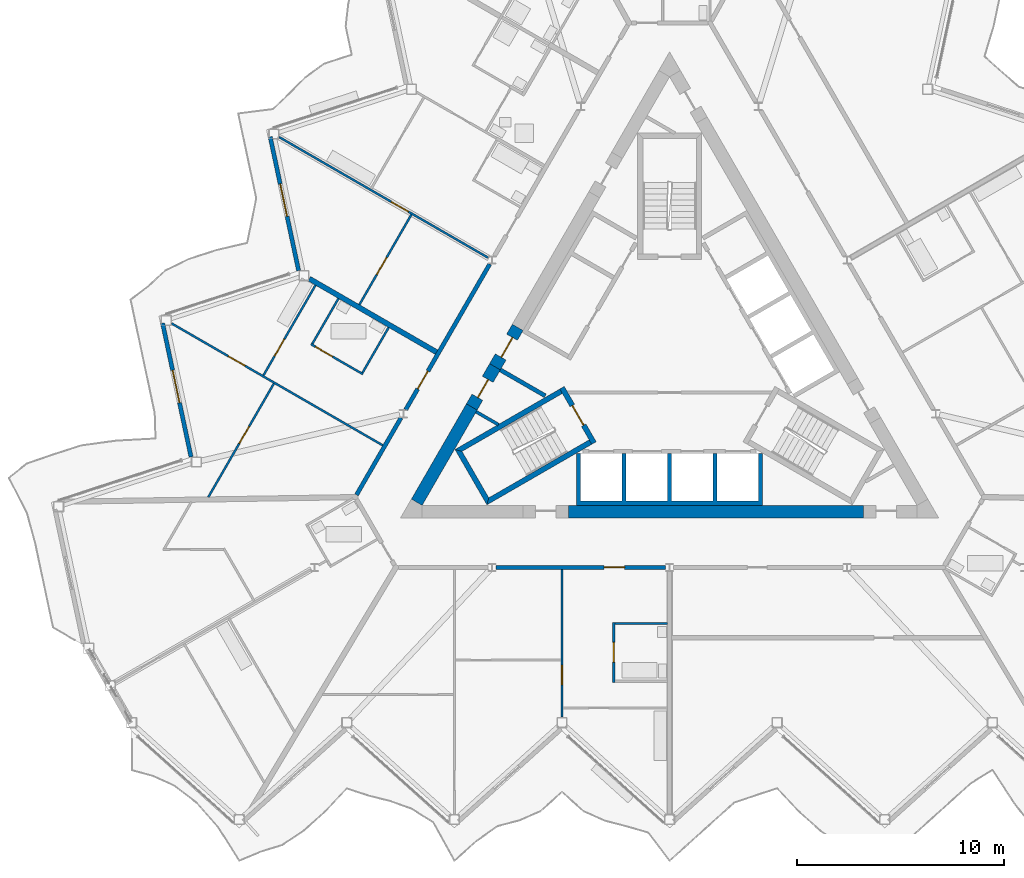
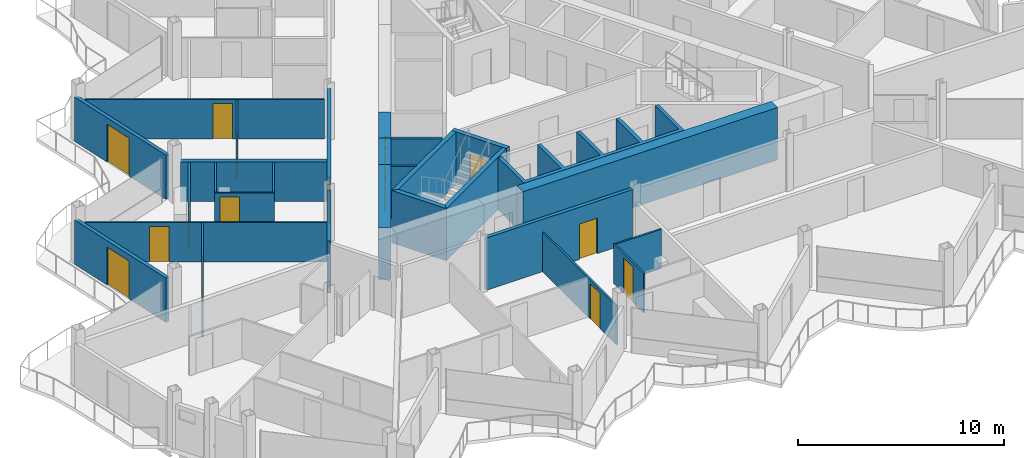
# One storey, part 13 of 26: 28 walls, 15 doors, 15 openings.
"""IFC4 building model written with IfcOpenShell, lengths in metres."""

from ifc_helpers import new_model, si_unit, direction, frame, frame_2d, origin, place, context, subcontext, project, spatial, polyline, rectangle, outline, extrude, material, layer, layer_set, type_object, element, fill, save


model = new_model("IFC4")

# Units and contexts
model_context = context("Model", 3, precision=1e-05, world=origin(), true_north=direction((0.0, 1.0)))
body_context = subcontext(model_context, "Body", "Model", "MODEL_VIEW")
ifc_project = project(units=[si_unit("LENGTHUNIT", "METRE"), si_unit("AREAUNIT", "SQUARE_METRE"), si_unit("VOLUMEUNIT", "CUBIC_METRE"), si_unit("PLANEANGLEUNIT", "RADIAN"), si_unit("MASSUNIT", "GRAM", prefix="KILO")], contexts=[model_context])

# Site, building, storey
site_placement = place(None, origin())
site = spatial("IfcSite", under=ifc_project, at=site_placement, CompositionType="ELEMENT")
building_placement = place(site_placement, origin())
building = spatial("IfcBuilding", under=site, at=building_placement, Name="Cormorant Prow Tower", CompositionType="ELEMENT")
storey_placement = place(building_placement, frame((0.0, 0.0, 384.800048828125)))
storey = spatial("IfcBuildingStorey", under=building, at=storey_placement, Name="L87", CompositionType="ELEMENT", Elevation=384.800048828125)

# Walls
ifc_material_1 = material(Name="Gypsum board partition")
ifc_layer_1 = layer(ifc_material_1, 0.14990234375)
ifc_layer_set_1 = layer_set([ifc_layer_1], Name="Gypsum board partition")
wall_type_1 = type_object("IfcWallType", Name="Core partition 150", PredefinedType="PARTITIONING", material=ifc_layer_set_1)
wall_1_placement = place(storey_placement, frame((-9.349609375, -2.3828125, 0.0), z_axis=(0.0, 0.0, 1.0), x_axis=(0.866057962423, -0.499943602543, 0.0)))
element("IfcWall", 1, at=wall_1_placement, inside=storey, type_object=wall_type_1, Name="Service room partition", PredefinedType="PARTITIONING", context=body_context, shape_type="SweptSolid", body=[
    extrude(rectangle(XDim=1.242431640625, YDim=0.14990234375, at=frame_2d((0.62109375, 0.0))), origin(), (0.0, 0.0, 1.0), 3.099853515625),
])
ifc_material_2 = material(Name="Concrete 8000 psi", Category="concrete")
ifc_layer_2 = layer(ifc_material_2, 0.60009765625)
ifc_layer_set_2 = layer_set([ifc_layer_2], Name="Concrete 8000 psi")
wall_type_2 = type_object("IfcWallType", Name="Core shear wall 600", PredefinedType="SHEAR", material=ifc_layer_set_2)
wall_2_placement = place(storey_placement, frame((-4.89208984375, -7.20556640625, 0.0), z_axis=(0.0, 0.0, 1.0), x_axis=(1.0, 0.0, 0.0)))
element("IfcWall", 2, at=wall_2_placement, inside=storey, type_object=wall_type_2, Name="Core wall", PredefinedType="SHEAR", context=body_context, shape_type="SweptSolid", body=[
    extrude(rectangle(XDim=14.2607421875, YDim=0.60009765625, at=frame_2d((7.13037109375, 0.0))), origin(), (0.0, 0.0, 1.0), 3.099853515625),
])
wall_3_placement = place(storey_placement, frame((-9.561767578125, -2.150390625, 0.0), z_axis=(0.0, 0.0, 1.0), x_axis=(-0.500015214976, -0.866016619236, 0.0)))
element("IfcWall", 3, at=wall_3_placement, inside=storey, type_object=wall_type_2, Name="Core wall", PredefinedType="SHEAR", context=body_context, shape_type="SweptSolid", body=[
    extrude(rectangle(XDim=5.317626953125, YDim=0.60009765625, at=frame_2d((2.65869140625, 0.0))), origin(), (0.0, 0.0, 1.0), 3.099853515625),
])

# Wall, opening, door
wall_4_placement = place(storey_placement, frame((-8.440185546875, -0.207763671875, 0.0), z_axis=(0.0, 0.0, 1.0), x_axis=(-0.500001951578, -0.866024277037, 0.0)))
wall_4 = element("IfcWall", 4, at=wall_4_placement, inside=storey, type_object=wall_type_2, Name="Core wall door panel", PredefinedType="SHEAR", context=body_context, shape_type="SweptSolid", body=[
    extrude(rectangle(XDim=2.2431640625, YDim=0.60009765625, at=frame_2d((1.12158203125, 0.0))), origin(), (0.0, 0.0, 1.0), 3.099853515625),
])
opening_1_placement = place(wall_4_placement, frame((0.699951171875, 0.0, 0.0)))
opening_1 = element("IfcOpeningElement", 5, at=opening_1_placement, cuts=wall_4, Name="Opening L87-C18", PredefinedType="OPENING", context=body_context, shape_type="SweptSolid", body=[
    extrude(rectangle(XDim=1.0, YDim=2.10009765625, at=frame_2d((0.5, 1.050048828125))), frame((0.0, 0.31005859375, 0.0), z_axis=(0.0, -1.0, 0.0), x_axis=(1.0, 0.0, 0.0)), (0.0, 0.0, 1.0), 0.6201171875),
])
ifc_material_3 = material(Name="Painted steel", Category="steel")
door_type_1 = type_object("IfcDoorType", Name="Service door 1000x2100", OperationType="NOTDEFINED", PredefinedType="DOOR", material=ifc_material_3)
door_1_placement = place(opening_1_placement, origin())
door_1 = element("IfcDoor", 6, at=door_1_placement, inside=storey, type_object=door_type_1, Name="Core door, Mechanical riser room", OperationType="SINGLE_SWING_LEFT", OverallHeight=2.10009765625, OverallWidth=1.0, PredefinedType="DOOR", context=body_context, shape_type="SweptSolid", body=[
    extrude(rectangle(XDim=1.0, YDim=2.10009765625, at=frame_2d((0.5, 1.050048828125))), frame((0.0, 0.05517578125, 0.0), z_axis=(0.0, -1.0, 0.0), x_axis=(1.0, 0.0, 0.0)), (0.0, 0.0, 1.0), 0.050048828125),
])
fill(opening_1, door_1)

wall_5_placement = place(storey_placement, frame((-7.340087890625, 1.697509765625, 0.0), z_axis=(0.0, 0.0, 1.0), x_axis=(-0.50002983664, -0.866008176907, 0.0)))
wall_5 = element("IfcWall", 7, at=wall_5_placement, inside=storey, type_object=wall_type_2, Name="Core wall door panel", PredefinedType="SHEAR", context=body_context, shape_type="SweptSolid", body=[
    extrude(rectangle(XDim=2.199951171875, YDim=0.60009765625, at=frame_2d((1.10009765625, 0.0))), origin(), (0.0, 0.0, 1.0), 3.099853515625),
])
opening_2_placement = place(wall_5_placement, frame((0.550048828125, 0.0, 0.0)))
opening_2 = element("IfcOpeningElement", 8, at=opening_2_placement, cuts=wall_5, Name="Opening L87-C21", PredefinedType="OPENING", context=body_context, shape_type="SweptSolid", body=[
    extrude(rectangle(XDim=1.10009765625, YDim=2.10009765625, at=frame_2d((0.550048828125, 1.050048828125))), frame((0.0, 0.31005859375, 0.0), z_axis=(0.0, -1.0, 0.0), x_axis=(1.0, 0.0, 0.0)), (0.0, 0.0, 1.0), 0.6201171875),
])
ifc_material_4 = material(Name="Painted steel", Category="steel")
door_type_2 = type_object("IfcDoorType", Name="Core door 1100x2100", OperationType="NOTDEFINED", PredefinedType="DOOR", material=ifc_material_4)
door_2_placement = place(opening_2_placement, origin())
door_2 = element("IfcDoor", 9, at=door_2_placement, inside=storey, type_object=door_type_2, Name="Core door, lift lobby", OperationType="SINGLE_SWING_RIGHT", OverallHeight=2.10009765625, OverallWidth=1.10009765625, PredefinedType="DOOR", context=body_context, shape_type="SweptSolid", body=[
    extrude(rectangle(XDim=1.10009765625, YDim=2.10009765625, at=frame_2d((0.550048828125, 1.050048828125))), frame((0.0, 0.05517578125, 0.0), z_axis=(0.0, -1.0, 0.0), x_axis=(1.0, 0.0, 0.0)), (0.0, 0.0, 1.0), 0.050048828125),
])
fill(opening_2, door_2)

ifc_material_5 = material(Name="Gypsum board corridor wall")
ifc_layer_3 = layer(ifc_material_5, 0.199951171875)
ifc_layer_set_3 = layer_set([ifc_layer_3], Name="Gypsum board corridor wall")
wall_type_3 = type_object("IfcWallType", Name="Corridor wall 200", PredefinedType="PARTITIONING", material=ifc_layer_set_3)
wall_6_placement = place(storey_placement, frame((-8.381591796875, -9.905517578125, 0.0), z_axis=(0.0, 0.0, 1.0), x_axis=(1.0, 0.0, 0.0)))
wall_6 = element("IfcWall", 10, at=wall_6_placement, inside=storey, type_object=wall_type_3, Name="Corridor wall", PredefinedType="PARTITIONING", context=body_context, shape_type="SweptSolid", body=[
    extrude(rectangle(XDim=8.1845703125, YDim=0.199951171875, at=frame_2d((4.09228515625, 0.0))), origin(), (0.0, 0.0, 1.0), 3.099853515625),
])
opening_3_placement = place(wall_6_placement, frame((5.212646484375, 0.0, 0.0)))
opening_3 = element("IfcOpeningElement", 11, at=opening_3_placement, cuts=wall_6, Name="Opening L87-F01", PredefinedType="OPENING", context=body_context, shape_type="SweptSolid", body=[
    extrude(rectangle(XDim=1.0, YDim=2.10009765625, at=frame_2d((0.5, 1.050048828125))), frame((0.0, 0.10986328125, 0.0), z_axis=(0.0, -1.0, 0.0), x_axis=(1.0, 0.0, 0.0)), (0.0, 0.0, 1.0), 0.219970703125),
])
ifc_material_6 = material(Name="Timber door leaf", Category="wood")
door_type_3 = type_object("IfcDoorType", Name="Flat or room entrance door 1000x2100", OperationType="NOTDEFINED", PredefinedType="DOOR", material=ifc_material_6)
door_3_placement = place(opening_3_placement, origin())
door_3 = element("IfcDoor", 12, at=door_3_placement, inside=storey, type_object=door_type_3, Name="Living room door", OperationType="SINGLE_SWING_RIGHT", OverallHeight=2.10009765625, OverallWidth=1.0, PredefinedType="DOOR", context=body_context, shape_type="SweptSolid", body=[
    extrude(rectangle(XDim=1.0, YDim=2.10009765625, at=frame_2d((0.5, 1.050048828125))), frame((0.0, 0.02490234375, 0.0), z_axis=(0.0, -1.0, 0.0), x_axis=(1.0, 0.0, 0.0)), (0.0, 0.0, 1.0), 0.050048828125),
])
fill(opening_3, door_3)

wall_7_placement = place(storey_placement, frame((-12.75390625, -2.279296875, 0.0), z_axis=(0.0, 0.0, 1.0), x_axis=(0.500001682468, 0.866024432409, 0.0)))
wall_7 = element("IfcWall", 13, at=wall_7_placement, inside=storey, type_object=wall_type_3, Name="Corridor wall", PredefinedType="PARTITIONING", context=body_context, shape_type="SweptSolid", body=[
    extrude(rectangle(XDim=8.12353515625, YDim=0.199951171875, at=frame_2d((4.061767578125, 0.0))), origin(), (0.0, 0.0, 1.0), 3.099853515625),
])
opening_4_placement = place(wall_7_placement, frame((1.1533203125, 0.0, 0.0)))
opening_4 = element("IfcOpeningElement", 14, at=opening_4_placement, cuts=wall_7, Name="Opening L87-F41", PredefinedType="OPENING", context=body_context, shape_type="SweptSolid", body=[
    extrude(rectangle(XDim=1.0, YDim=2.10009765625, at=frame_2d((0.5, 1.050048828125))), frame((0.0, 0.10986328125, 0.0), z_axis=(0.0, -1.0, 0.0), x_axis=(1.0, 0.0, 0.0)), (0.0, 0.0, 1.0), 0.219970703125),
])
door_4_placement = place(opening_4_placement, origin())
door_4 = element("IfcDoor", 15, at=door_4_placement, inside=storey, type_object=door_type_3, Name="Living room door", OperationType="SINGLE_SWING_RIGHT", OverallHeight=2.10009765625, OverallWidth=1.0, PredefinedType="DOOR", context=body_context, shape_type="SweptSolid", body=[
    extrude(rectangle(XDim=1.0, YDim=2.10009765625, at=frame_2d((0.5, 1.050048828125))), frame((0.0, 0.02490234375, 0.0), z_axis=(0.0, -1.0, 0.0), x_axis=(1.0, 0.0, 0.0)), (0.0, 0.0, 1.0), 0.050048828125),
])
fill(opening_4, door_4)

# Wall
wall_8_placement = place(storey_placement, frame((-15.13134765625, -6.397216796875, 0.0), z_axis=(0.0, 0.0, 1.0), x_axis=(0.499986217557, 0.866033360935, 0.0)))
element("IfcWall", 16, at=wall_8_placement, inside=storey, type_object=wall_type_3, Name="Corridor wall", PredefinedType="PARTITIONING", context=body_context, shape_type="SweptSolid", body=[
    extrude(rectangle(XDim=4.2998046875, YDim=0.199951171875, at=frame_2d((2.14990234375, 0.0))), origin(), (0.0, 0.0, 1.0), 3.099853515625),
])

# Wall, opening, door
ifc_material_7 = material(Name="Gypsum board partition")
ifc_layer_4 = layer(ifc_material_7, 0.10009765625)
ifc_layer_set_4 = layer_set([ifc_layer_4], Name="Gypsum board partition")
wall_type_4 = type_object("IfcWallType", Name="Internal partition 100", PredefinedType="PARTITIONING", material=ifc_layer_set_4)
wall_9_placement = place(storey_placement, frame((-24.068603515625, 1.88720703125, 0.0), z_axis=(0.0, 0.0, 1.0), x_axis=(0.866023404247, -0.500003463284, 0.0)))
wall_9 = element("IfcWall", 17, at=wall_9_placement, inside=storey, type_object=wall_type_4, Name="Internal partition", PredefinedType="PARTITIONING", context=body_context, shape_type="SweptSolid", body=[
    extrude(rectangle(XDim=11.7822265625, YDim=0.10009765625, at=frame_2d((5.89111328125, 0.0))), origin(), (0.0, 0.0, 1.0), 2.330078125),
])
opening_5_placement = place(wall_9_placement, frame((3.158935546875, 0.0, 0.0)))
opening_5 = element("IfcOpeningElement", 18, at=opening_5_placement, cuts=wall_9, Name="Opening L87-F44", PredefinedType="OPENING", context=body_context, shape_type="SweptSolid", body=[
    extrude(rectangle(XDim=0.949951171875, YDim=2.10009765625, at=frame_2d((0.47509765625, 1.050048828125))), frame((0.0, 0.06005859375, 0.0), z_axis=(0.0, -1.0, 0.0), x_axis=(1.0, 0.0, 0.0)), (0.0, 0.0, 1.0), 0.1201171875),
])
ifc_material_8 = material(Name="Timber door leaf", Category="wood")
door_type_4 = type_object("IfcDoorType", Name="Bathroom door 950x2100", OperationType="NOTDEFINED", PredefinedType="DOOR", material=ifc_material_8)
door_5_placement = place(opening_5_placement, origin())
door_5 = element("IfcDoor", 19, at=door_5_placement, inside=storey, type_object=door_type_4, Name="Kitchen door", OperationType="SINGLE_SWING_RIGHT", OverallHeight=2.10009765625, OverallWidth=0.949951171875, PredefinedType="DOOR", context=body_context, shape_type="SweptSolid", body=[
    extrude(rectangle(XDim=0.949951171875, YDim=2.10009765625, at=frame_2d((0.47509765625, 1.050048828125))), frame((0.0, 0.02490234375, 0.0), z_axis=(0.0, -1.0, 0.0), x_axis=(1.0, 0.0, 0.0)), (0.0, 0.0, 1.0), 0.050048828125),
])
fill(opening_5, door_5)

wall_10_placement = place(storey_placement, frame((-18.86865234375, 10.893798828125, 0.0), z_axis=(0.0, 0.0, 1.0), x_axis=(0.866023724155, -0.500002909193, 0.0)))
wall_10 = element("IfcWall", 20, at=wall_10_placement, inside=storey, type_object=wall_type_4, Name="Internal partition", PredefinedType="PARTITIONING", context=body_context, shape_type="SweptSolid", body=[
    extrude(rectangle(XDim=11.65478515625, YDim=0.10009765625, at=frame_2d((5.827392578125, 0.0))), origin(), (0.0, 0.0, 1.0), 2.330078125),
])
opening_6_placement = place(wall_10_placement, frame((6.252685546875, 0.0, 0.0)))
opening_6 = element("IfcOpeningElement", 21, at=opening_6_placement, cuts=wall_10, Name="Opening L87-F38", PredefinedType="OPENING", context=body_context, shape_type="SweptSolid", body=[
    extrude(rectangle(XDim=0.949951171875, YDim=2.10009765625, at=frame_2d((0.47509765625, 1.050048828125))), frame((0.0, 0.06005859375, 0.0), z_axis=(0.0, -1.0, 0.0), x_axis=(1.0, 0.0, 0.0)), (0.0, 0.0, 1.0), 0.1201171875),
])
door_6_placement = place(opening_6_placement, origin())
door_6 = element("IfcDoor", 22, at=door_6_placement, inside=storey, type_object=door_type_4, Name="Living room door", OperationType="SINGLE_SWING_RIGHT", OverallHeight=2.10009765625, OverallWidth=0.949951171875, PredefinedType="DOOR", context=body_context, shape_type="SweptSolid", body=[
    extrude(rectangle(XDim=0.949951171875, YDim=2.10009765625, at=frame_2d((0.47509765625, 1.050048828125))), frame((0.0, 0.02490234375, 0.0), z_axis=(0.0, -1.0, 0.0), x_axis=(1.0, 0.0, 0.0)), (0.0, 0.0, 1.0), 0.050048828125),
])
fill(opening_6, door_6)

wall_11_placement = place(storey_placement, frame((-5.199951171875, -17.145751953125, 0.0), z_axis=(0.0, 0.0, 1.0), x_axis=(0.0, 1.0, 0.0)))
wall_11 = element("IfcWall", 23, at=wall_11_placement, inside=storey, type_object=wall_type_4, Name="Internal partition", PredefinedType="PARTITIONING", context=body_context, shape_type="SweptSolid", body=[
    extrude(rectangle(XDim=7.14013671875, YDim=0.10009765625, at=frame_2d((3.570068359375, 0.0))), origin(), (0.0, 0.0, 1.0), 2.330078125),
])
opening_7_placement = place(wall_11_placement, frame((1.571044921875, 0.0, 0.0)))
opening_7 = element("IfcOpeningElement", 24, at=opening_7_placement, cuts=wall_11, Name="Opening L87-F04", PredefinedType="OPENING", context=body_context, shape_type="SweptSolid", body=[
    extrude(rectangle(XDim=0.949951171875, YDim=2.10009765625, at=frame_2d((0.47509765625, 1.050048828125))), frame((0.0, 0.06005859375, 0.0), z_axis=(0.0, -1.0, 0.0), x_axis=(1.0, 0.0, 0.0)), (0.0, 0.0, 1.0), 0.1201171875),
])
door_7_placement = place(opening_7_placement, origin())
door_7 = element("IfcDoor", 25, at=door_7_placement, inside=storey, type_object=door_type_4, Name="Living room door", OperationType="SINGLE_SWING_RIGHT", OverallHeight=2.10009765625, OverallWidth=0.949951171875, PredefinedType="DOOR", context=body_context, shape_type="SweptSolid", body=[
    extrude(rectangle(XDim=0.949951171875, YDim=2.10009765625, at=frame_2d((0.47509765625, 1.050048828125))), frame((0.0, 0.02490234375, 0.0), z_axis=(0.0, -1.0, 0.0), x_axis=(1.0, 0.0, 0.0)), (0.0, 0.0, 1.0), 0.050048828125),
])
fill(opening_7, door_7)

wall_12_placement = place(storey_placement, frame((-22.2978515625, -6.512451171875, 0.0), z_axis=(0.0, 0.0, 1.0), x_axis=(0.499991387631, 0.866030376081, 0.0)))
wall_12 = element("IfcWall", 26, at=wall_12_placement, inside=storey, type_object=wall_type_4, Name="Internal partition", PredefinedType="PARTITIONING", context=body_context, shape_type="SweptSolid", body=[
    extrude(rectangle(XDim=6.3388671875, YDim=0.10009765625, at=frame_2d((3.16943359375, 0.0))), origin(), (0.0, 0.0, 1.0), 2.330078125),
])
opening_8_placement = place(wall_12_placement, frame((3.0, 0.0, 0.0)))
opening_8 = element("IfcOpeningElement", 27, at=opening_8_placement, cuts=wall_12, Name="Opening L87-F45", PredefinedType="OPENING", context=body_context, shape_type="SweptSolid", body=[
    extrude(rectangle(XDim=0.949951171875, YDim=2.10009765625, at=frame_2d((0.47509765625, 1.050048828125))), frame((0.0, 0.06005859375, 0.0), z_axis=(0.0, -1.0, 0.0), x_axis=(1.0, 0.0, 0.0)), (0.0, 0.0, 1.0), 0.1201171875),
])
door_8_placement = place(opening_8_placement, origin())
door_8 = element("IfcDoor", 28, at=door_8_placement, inside=storey, type_object=door_type_4, Name="Bedroom door", OperationType="SINGLE_SWING_RIGHT", OverallHeight=2.10009765625, OverallWidth=0.949951171875, PredefinedType="DOOR", context=body_context, shape_type="SweptSolid", body=[
    extrude(rectangle(XDim=0.949951171875, YDim=2.10009765625, at=frame_2d((0.47509765625, 1.050048828125))), frame((0.0, 0.02490234375, 0.0), z_axis=(0.0, -1.0, 0.0), x_axis=(1.0, 0.0, 0.0)), (0.0, 0.0, 1.0), 0.050048828125),
])
fill(opening_8, door_8)

wall_13_placement = place(storey_placement, frame((-19.628173828125, -0.618896484375, 0.0), z_axis=(0.0, 0.0, 1.0), x_axis=(0.499990214365, 0.86603105345, 0.0)))
wall_13 = element("IfcWall", 29, at=wall_13_placement, inside=storey, type_object=wall_type_4, Name="Internal partition", PredefinedType="PARTITIONING", context=body_context, shape_type="SweptSolid", body=[
    extrude(rectangle(XDim=5.02490234375, YDim=0.10009765625, at=frame_2d((2.512451171875, 0.0))), origin(), (0.0, 0.0, 1.0), 2.330078125),
])
opening_9_placement = place(wall_13_placement, frame((1.067138671875, 0.0, 0.0)))
opening_9 = element("IfcOpeningElement", 30, at=opening_9_placement, cuts=wall_13, Name="Opening L87-F43", PredefinedType="OPENING", context=body_context, shape_type="SweptSolid", body=[
    extrude(rectangle(XDim=0.949951171875, YDim=2.10009765625, at=frame_2d((0.47509765625, 1.050048828125))), frame((0.0, 0.06005859375, 0.0), z_axis=(0.0, -1.0, 0.0), x_axis=(1.0, 0.0, 0.0)), (0.0, 0.0, 1.0), 0.1201171875),
])
door_9_placement = place(opening_9_placement, origin())
door_9 = element("IfcDoor", 31, at=door_9_placement, inside=storey, type_object=door_type_4, Name="Living room door", OperationType="SINGLE_SWING_LEFT", OverallHeight=2.10009765625, OverallWidth=0.949951171875, PredefinedType="DOOR", context=body_context, shape_type="SweptSolid", body=[
    extrude(rectangle(XDim=0.949951171875, YDim=2.10009765625, at=frame_2d((0.47509765625, 1.050048828125))), frame((0.0, 0.02490234375, 0.0), z_axis=(0.0, -1.0, 0.0), x_axis=(1.0, 0.0, 0.0)), (0.0, 0.0, 1.0), 0.050048828125),
])
fill(opening_9, door_9)

wall_14_placement = place(storey_placement, frame((-14.9921875, 2.795654296875, 0.0), z_axis=(0.0, 0.0, 1.0), x_axis=(0.499990214365, 0.86603105345, 0.0)))
wall_14 = element("IfcWall", 32, at=wall_14_placement, inside=storey, type_object=wall_type_4, Name="Internal partition", PredefinedType="PARTITIONING", context=body_context, shape_type="SweptSolid", body=[
    extrude(rectangle(XDim=5.02490234375, YDim=0.10009765625, at=frame_2d((2.512451171875, 0.0))), origin(), (0.0, 0.0, 1.0), 2.330078125),
])
opening_10_placement = place(wall_14_placement, frame((1.679931640625, 0.0, 0.0)))
opening_10 = element("IfcOpeningElement", 33, at=opening_10_placement, cuts=wall_14, Name="Opening L87-F39", PredefinedType="OPENING", context=body_context, shape_type="SweptSolid", body=[
    extrude(rectangle(XDim=0.949951171875, YDim=2.10009765625, at=frame_2d((0.47509765625, 1.050048828125))), frame((0.0, 0.06005859375, 0.0), z_axis=(0.0, -1.0, 0.0), x_axis=(1.0, 0.0, 0.0)), (0.0, 0.0, 1.0), 0.1201171875),
])
door_10_placement = place(opening_10_placement, origin())
door_10 = element("IfcDoor", 34, at=door_10_placement, inside=storey, type_object=door_type_4, Name="Bedroom door", OperationType="SINGLE_SWING_RIGHT", OverallHeight=2.10009765625, OverallWidth=0.949951171875, PredefinedType="DOOR", context=body_context, shape_type="SweptSolid", body=[
    extrude(rectangle(XDim=0.949951171875, YDim=2.10009765625, at=frame_2d((0.47509765625, 1.050048828125))), frame((0.0, 0.02490234375, 0.0), z_axis=(0.0, -1.0, 0.0), x_axis=(1.0, 0.0, 0.0)), (0.0, 0.0, 1.0), 0.050048828125),
])
fill(opening_10, door_10)

wall_15_placement = place(storey_placement, frame((-17.3349609375, 0.88623046875, 0.0), z_axis=(0.0, 0.0, 1.0), x_axis=(0.866032775405, -0.499987231761, 0.0)))
wall_15 = element("IfcWall", 35, at=wall_15_placement, inside=storey, type_object=wall_type_4, Name="Internal partition", PredefinedType="PARTITIONING", context=body_context, shape_type="SweptSolid", body=[
    extrude(rectangle(XDim=2.89990234375, YDim=0.10009765625, at=frame_2d((1.449951171875, 0.0))), origin(), (0.0, 0.0, 1.0), 2.330078125),
])
opening_11_placement = place(wall_15_placement, frame((0.25, 0.0, 0.0)))
opening_11 = element("IfcOpeningElement", 36, at=opening_11_placement, cuts=wall_15, Name="Opening L87-F42", PredefinedType="OPENING", context=body_context, shape_type="SweptSolid", body=[
    extrude(rectangle(XDim=0.949951171875, YDim=2.10009765625, at=frame_2d((0.47509765625, 1.050048828125))), frame((0.0, 0.06005859375, 0.0), z_axis=(0.0, -1.0, 0.0), x_axis=(1.0, 0.0, 0.0)), (0.0, 0.0, 1.0), 0.1201171875),
])
door_11_placement = place(opening_11_placement, origin())
door_11 = element("IfcDoor", 37, at=door_11_placement, inside=storey, type_object=door_type_4, Name="Living room door", OperationType="SINGLE_SWING_LEFT", OverallHeight=2.10009765625, OverallWidth=0.949951171875, PredefinedType="DOOR", context=body_context, shape_type="SweptSolid", body=[
    extrude(rectangle(XDim=0.949951171875, YDim=2.10009765625, at=frame_2d((0.47509765625, 1.050048828125))), frame((0.0, 0.02490234375, 0.0), z_axis=(0.0, -1.0, 0.0), x_axis=(1.0, 0.0, 0.0)), (0.0, 0.0, 1.0), 0.050048828125),
])
fill(opening_11, door_11)

wall_16_placement = place(storey_placement, frame((-2.699951171875, -15.45556640625, 0.0), z_axis=(0.0, 0.0, 1.0), x_axis=(0.0, 1.0, 0.0)))
wall_16 = element("IfcWall", 38, at=wall_16_placement, inside=storey, type_object=wall_type_4, Name="Internal partition", PredefinedType="PARTITIONING", context=body_context, shape_type="SweptSolid", body=[
    extrude(rectangle(XDim=2.89990234375, YDim=0.10009765625, at=frame_2d((1.449951171875, 0.0))), origin(), (0.0, 0.0, 1.0), 2.330078125),
])
opening_12_placement = place(wall_16_placement, frame((0.97509765625, 0.0, 0.0)))
opening_12 = element("IfcOpeningElement", 39, at=opening_12_placement, cuts=wall_16, Name="Opening L87-F02", PredefinedType="OPENING", context=body_context, shape_type="SweptSolid", body=[
    extrude(rectangle(XDim=0.949951171875, YDim=2.10009765625, at=frame_2d((0.47509765625, 1.050048828125))), frame((0.0, 0.06005859375, 0.0), z_axis=(0.0, -1.0, 0.0), x_axis=(1.0, 0.0, 0.0)), (0.0, 0.0, 1.0), 0.1201171875),
])
door_12_placement = place(opening_12_placement, origin())
door_12 = element("IfcDoor", 40, at=door_12_placement, inside=storey, type_object=door_type_4, Name="Living room door", OperationType="SINGLE_SWING_RIGHT", OverallHeight=2.10009765625, OverallWidth=0.949951171875, PredefinedType="DOOR", context=body_context, shape_type="SweptSolid", body=[
    extrude(rectangle(XDim=0.949951171875, YDim=2.10009765625, at=frame_2d((0.47509765625, 1.050048828125))), frame((0.0, 0.02490234375, 0.0), z_axis=(0.0, -1.0, 0.0), x_axis=(1.0, 0.0, 0.0)), (0.0, 0.0, 1.0), 0.050048828125),
])
fill(opening_12, door_12)

# Walls
wall_17_placement = place(storey_placement, frame((-2.64990234375, -12.605712890625, 0.0), z_axis=(0.0, 0.0, 1.0), x_axis=(1.0, 0.0, 0.0)))
element("IfcWall", 41, at=wall_17_placement, inside=storey, type_object=wall_type_4, Name="Internal partition", PredefinedType="PARTITIONING", context=body_context, shape_type="SweptSolid", body=[
    extrude(rectangle(XDim=2.5498046875, YDim=0.10009765625, at=frame_2d((1.27490234375, 0.0))), origin(), (0.0, 0.0, 1.0), 2.330078125),
])
wall_18_placement = place(storey_placement, frame((-17.2666015625, 0.904541015625, 0.0), z_axis=(0.0, 0.0, 1.0), x_axis=(0.499976333282, 0.866039067339, 0.0)))
element("IfcWall", 42, at=wall_18_placement, inside=storey, type_object=wall_type_4, Name="Internal partition", PredefinedType="PARTITIONING", context=body_context, shape_type="SweptSolid", body=[
    extrude(rectangle(XDim=2.52490234375, YDim=0.10009765625, at=frame_2d((1.262451171875, 0.0))), origin(), (0.0, 0.0, 1.0), 2.330078125),
])
wall_19_placement = place(storey_placement, frame((-14.841796875, -0.49560546875, 0.0), z_axis=(0.0, 0.0, 1.0), x_axis=(0.500048846702, 0.865997200291, 0.0)))
element("IfcWall", 43, at=wall_19_placement, inside=storey, type_object=wall_type_4, Name="Internal partition", PredefinedType="PARTITIONING", context=body_context, shape_type="SweptSolid", body=[
    extrude(rectangle(XDim=2.525146484375, YDim=0.10009765625, at=frame_2d((1.2626953125, 0.0))), origin(), (0.0, 0.0, 1.0), 2.330078125),
])
ifc_material_9 = material(Name="Concrete 8000 psi", Category="concrete")
ifc_layer_5 = layer(ifc_material_9, 0.199951171875)
ifc_layer_set_5 = layer_set([ifc_layer_5], Name="Concrete 8000 psi")
wall_type_5 = type_object("IfcWallType", Name="Lift shaft wall 200", PredefinedType="SHEAR", material=ifc_layer_set_5)
wall_20_placement = place(storey_placement, origin())
element("IfcWall", 44, at=wall_20_placement, inside=storey, type_object=wall_type_5, Name="Lift shaft walls, S block", PredefinedType="SHEAR", context=body_context, shape_type="SweptSolid", body=[
    extrude(outline(polyline([(4.5, -4.39990234375), (4.5, -6.906005859375), (-4.5, -6.906005859375), (-4.5, -4.39990234375), (-4.300048828125, -4.39990234375), (-4.300048828125, -6.699951171875), (-2.300048828125, -6.699951171875), (-2.300048828125, -4.39990234375), (-2.10009765625, -4.39990234375), (-2.10009765625, -6.699951171875), (-0.10009765625, -6.699951171875), (-0.10009765625, -4.39990234375), (0.10009765625, -4.39990234375), (0.10009765625, -6.699951171875), (2.10009765625, -6.699951171875), (2.10009765625, -4.39990234375), (2.300048828125, -4.39990234375), (2.300048828125, -6.699951171875), (4.300048828125, -6.699951171875), (4.300048828125, -4.39990234375), (4.5, -4.39990234375)])), origin(), (0.0, 0.0, 1.0), 3.099853515625),
])
wall_21_placement = place(storey_placement, origin())
element("IfcWall", 45, at=wall_21_placement, inside=storey, type_object=wall_type_5, Name="Lift shaft walls, WNW block", PredefinedType="SHEAR", context=body_context, shape_type="SweptSolid", body=[
    extrude(outline(polyline([(-6.060546875, -1.697021484375), (-8.230712890625, -0.444091796875), (-8.130859375, -0.27099609375), (-5.96044921875, -1.52392578125), (-6.060546875, -1.697021484375)])), origin(), (0.0, 0.0, 1.0), 3.099853515625),
])
ifc_material_10 = material(Name="Concrete 8000 psi", Category="concrete")
ifc_layer_6 = layer(ifc_material_10, 0.25)
ifc_layer_set_6 = layer_set([ifc_layer_6], Name="Concrete 8000 psi")
wall_type_6 = type_object("IfcWallType", Name="Stair wall 250", PredefinedType="SHEAR", material=ifc_layer_set_6)
wall_22_placement = place(storey_placement, origin())
element("IfcWall", 46, at=wall_22_placement, inside=storey, type_object=wall_type_6, Name="Stair ST1 enclosure wall (flank)", PredefinedType="SHEAR", context=body_context, shape_type="SweptSolid", body=[
    extrude(outline(polyline([(-5.30712890625, -1.28125), (-10.37353515625, -4.206298828125), (-10.031982421875, -4.2978515625), (-5.18212890625, -1.497802734375), (-5.30712890625, -1.28125)])), origin(), (0.0, 0.0, 1.0), 3.099853515625),
])
wall_23_placement = place(storey_placement, origin())
element("IfcWall", 47, at=wall_23_placement, inside=storey, type_object=wall_type_6, Name="Stair ST1 enclosure wall (end)", PredefinedType="SHEAR", context=body_context, shape_type="SweptSolid", body=[
    extrude(outline(polyline([(-10.37353515625, -4.206298828125), (-8.82958984375, -6.880615234375), (-8.738037109375, -6.5390625), (-10.031982421875, -4.2978515625), (-10.37353515625, -4.206298828125)])), origin(), (0.0, 0.0, 1.0), 3.099853515625),
])
wall_24_placement = place(storey_placement, origin())
element("IfcWall", 48, at=wall_24_placement, inside=storey, type_object=wall_type_6, Name="Stair ST1 enclosure wall (flank)", PredefinedType="SHEAR", context=body_context, shape_type="SweptSolid", body=[
    extrude(outline(polyline([(-8.738037109375, -6.5390625), (-8.82958984375, -6.880615234375), (-3.76318359375, -3.95556640625), (-3.88818359375, -3.739013671875), (-8.738037109375, -6.5390625)])), origin(), (0.0, 0.0, 1.0), 3.099853515625),
])

# Wall, opening, door
wall_25_placement = place(storey_placement, frame((-5.198974609375, -1.21875, 0.0), z_axis=(0.0, 0.0, 1.0), x_axis=(0.499982516597, -0.866035497597, 0.0)))
wall_25 = element("IfcWall", 49, at=wall_25_placement, inside=storey, type_object=wall_type_6, Name="Stair ST1 door wall", PredefinedType="SHEAR", context=body_context, shape_type="SweptSolid", body=[
    extrude(rectangle(XDim=3.087890625, YDim=0.25, at=frame_2d((1.5439453125, 0.0))), origin(), (0.0, 0.0, 1.0), 3.099853515625),
])
opening_13_placement = place(wall_25_placement, frame((0.993896484375, 0.0, 0.0)))
opening_13 = element("IfcOpeningElement", 50, at=opening_13_placement, cuts=wall_25, Name="Opening L87-C12", PredefinedType="OPENING", context=body_context, shape_type="SweptSolid", body=[
    extrude(rectangle(XDim=1.10009765625, YDim=2.10009765625, at=frame_2d((0.550048828125, 1.050048828125))), frame((0.0, 0.135009765625, 0.0), z_axis=(0.0, -1.0, 0.0), x_axis=(1.0, 0.0, 0.0)), (0.0, 0.0, 1.0), 0.27001953125),
])
ifc_material_11 = material(Name="Painted steel", Category="steel")
door_type_5 = type_object("IfcDoorType", Name="Stair door 1100x2100", OperationType="NOTDEFINED", PredefinedType="DOOR", material=ifc_material_11)
door_13_placement = place(opening_13_placement, origin())
door_13 = element("IfcDoor", 51, at=door_13_placement, inside=storey, type_object=door_type_5, Name="Stair ST1 door", OperationType="SINGLE_SWING_LEFT", OverallHeight=2.10009765625, OverallWidth=1.10009765625, PredefinedType="DOOR", context=body_context, shape_type="SweptSolid", body=[
    extrude(rectangle(XDim=1.10009765625, YDim=2.10009765625, at=frame_2d((0.550048828125, 1.050048828125))), frame((0.0, 0.02490234375, 0.0), z_axis=(0.0, -1.0, 0.0), x_axis=(1.0, 0.0, 0.0)), (0.0, 0.0, 1.0), 0.050048828125),
])
fill(opening_13, door_13)

# Wall
ifc_material_12 = material(Name="Acoustic gypsum party wall")
ifc_layer_7 = layer(ifc_material_12, 0.25)
ifc_layer_set_7 = layer_set([ifc_layer_7], Name="Acoustic gypsum party wall")
wall_type_7 = type_object("IfcWallType", Name="Suite party wall 250", PredefinedType="PARTITIONING", material=ifc_layer_set_7)
wall_26_placement = place(storey_placement, frame((-17.413818359375, 4.04931640625, 0.0), z_axis=(0.0, 0.0, 1.0), x_axis=(0.866033839264, -0.499985389037, 0.0)))
element("IfcWall", 52, at=wall_26_placement, inside=storey, type_object=wall_type_7, Name="Suite party wall", PredefinedType="PARTITIONING", context=body_context, shape_type="SweptSolid", body=[
    extrude(rectangle(XDim=7.099853515625, YDim=0.25, at=frame_2d((3.5498046875, 0.0))), origin(), (0.0, 0.0, 1.0), 2.330078125),
])

# Wall, opening, door
ifc_material_13 = material(Name="Terracotta", Category="masonry")
ifc_layer_8 = layer(ifc_material_13, 0.199951171875)
ifc_layer_set_8 = layer_set([ifc_layer_8], Name="Terracotta")
wall_type_8 = type_object("IfcWallType", Name="Terracotta jamb wall 200", PredefinedType="SOLIDWALL", material=ifc_layer_set_8)
wall_27_placement = place(storey_placement, frame((-19.304443359375, 10.90869140625, 0.0), z_axis=(0.0, 0.0, 1.0), x_axis=(0.207882161022, -0.97815387702, 0.0)))
wall_27 = element("IfcWall", 53, at=wall_27_placement, inside=storey, type_object=wall_type_8, Name="Terracotta jamb wall WNW05", PredefinedType="SOLIDWALL", context=body_context, shape_type="SweptSolid", body=[
    extrude(rectangle(XDim=6.612060546875, YDim=0.199951171875, at=frame_2d((3.30615234375, 0.0))), origin(), (0.0, 0.0, 1.0), 2.6337890625),
])
opening_14_placement = place(wall_27_placement, frame((2.332763671875, 0.0, 0.0)))
opening_14 = element("IfcOpeningElement", 54, at=opening_14_placement, cuts=wall_27, Name="Opening ED87.13", PredefinedType="OPENING", context=body_context, shape_type="SweptSolid", body=[
    extrude(rectangle(XDim=1.60009765625, YDim=2.25, at=frame_2d((0.800048828125, 1.125))), frame((0.0, 0.10986328125, 0.0), z_axis=(0.0, -1.0, 0.0), x_axis=(1.0, 0.0, 0.0)), (0.0, 0.0, 1.0), 0.219970703125),
])
ifc_material_14 = material(Name="Aluminium 6063-T6", Category="aluminium")
door_type_6 = type_object("IfcDoorType", Name="Balcony door 1600x2250", OperationType="DOUBLE_DOOR_SINGLE_SWING", PredefinedType="DOOR", material=ifc_material_14)
door_14_placement = place(opening_14_placement, origin())
door_14 = element("IfcDoor", 55, at=door_14_placement, inside=storey, type_object=door_type_6, Name="Balcony door WNW05 ED87.13", OperationType="DOUBLE_DOOR_SINGLE_SWING", OverallHeight=2.25, OverallWidth=1.60009765625, PredefinedType="DOOR", context=body_context, shape_type="SweptSolid", body=[
    extrude(rectangle(XDim=1.60009765625, YDim=2.25, at=frame_2d((0.800048828125, 1.125))), frame((0.0, 0.02490234375, 0.0), z_axis=(0.0, -1.0, 0.0), x_axis=(1.0, 0.0, 0.0)), (0.0, 0.0, 1.0), 0.050048828125),
])
fill(opening_14, door_14)

wall_28_placement = place(storey_placement, frame((-24.504638671875, 1.902099609375, 0.0), z_axis=(0.0, 0.0, 1.0), x_axis=(0.207917488951, -0.978146368285, 0.0)))
wall_28 = element("IfcWall", 56, at=wall_28_placement, inside=storey, type_object=wall_type_8, Name="Terracotta jamb wall WNW07", PredefinedType="SOLIDWALL", context=body_context, shape_type="SweptSolid", body=[
    extrude(rectangle(XDim=6.612060546875, YDim=0.199951171875, at=frame_2d((3.30615234375, 0.0))), origin(), (0.0, 0.0, 1.0), 2.6337890625),
])
opening_15_placement = place(wall_28_placement, frame((2.332763671875, 0.0, 0.0)))
opening_15 = element("IfcOpeningElement", 57, at=opening_15_placement, cuts=wall_28, Name="Opening ED87.14", PredefinedType="OPENING", context=body_context, shape_type="SweptSolid", body=[
    extrude(rectangle(XDim=1.60009765625, YDim=2.25, at=frame_2d((0.800048828125, 1.125))), frame((0.0, 0.10986328125, 0.0), z_axis=(0.0, -1.0, 0.0), x_axis=(1.0, 0.0, 0.0)), (0.0, 0.0, 1.0), 0.219970703125),
])
door_15_placement = place(opening_15_placement, origin())
door_15 = element("IfcDoor", 58, at=door_15_placement, inside=storey, type_object=door_type_6, Name="Balcony door WNW07 ED87.14", OperationType="DOUBLE_DOOR_SINGLE_SWING", OverallHeight=2.25, OverallWidth=1.60009765625, PredefinedType="DOOR", context=body_context, shape_type="SweptSolid", body=[
    extrude(rectangle(XDim=1.60009765625, YDim=2.25, at=frame_2d((0.800048828125, 1.125))), frame((0.0, 0.02490234375, 0.0), z_axis=(0.0, -1.0, 0.0), x_axis=(1.0, 0.0, 0.0)), (0.0, 0.0, 1.0), 0.050048828125),
])
fill(opening_15, door_15)

save(model, "model.ifc")
